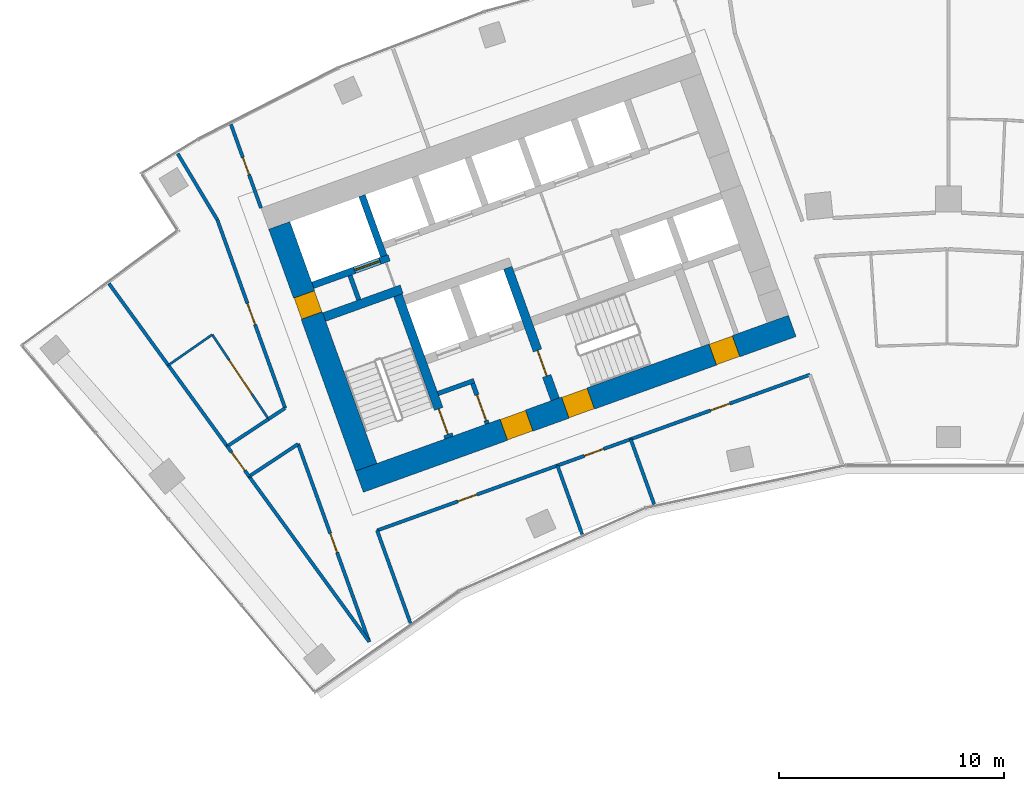
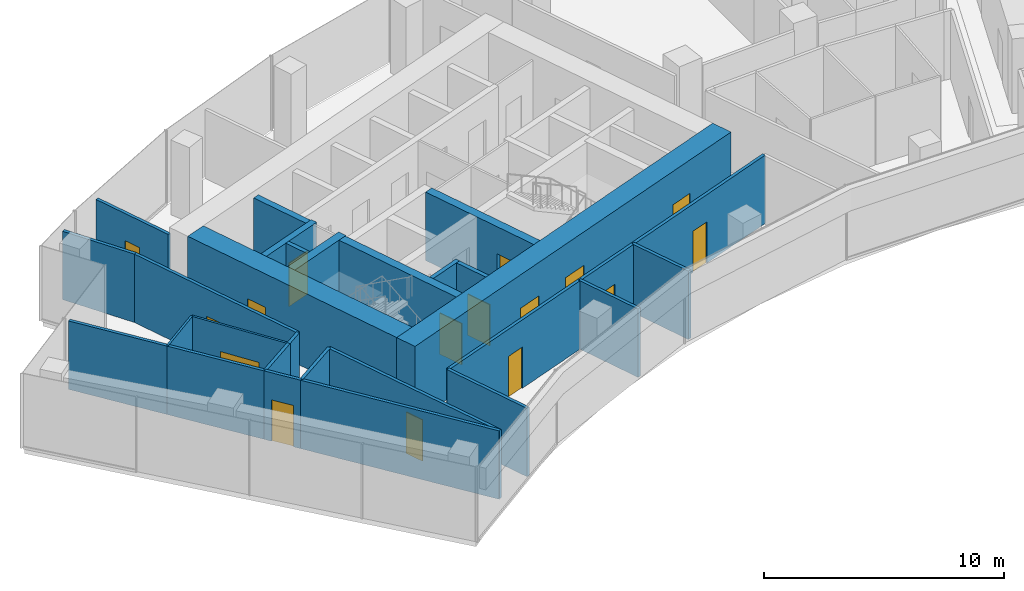
# One storey, part 10 of 16: 29 walls, 16 doors, 16 openings.
"""IFC4 building model written with IfcOpenShell, lengths in metres."""

from ifc_helpers import new_model, si_unit, direction, frame, frame_2d, origin, place, context, subcontext, project, spatial, rectangle, extrude, material, layer, layer_set, type_object, element, fill, save


model = new_model("IFC4")

# Units and contexts
model_context = context("Model", 3, precision=1e-05, world=origin(), true_north=direction((0.0, 1.0)))
body_context = subcontext(model_context, "Body", "Model", "MODEL_VIEW")
ifc_project = project(units=[si_unit("LENGTHUNIT", "METRE"), si_unit("AREAUNIT", "SQUARE_METRE"), si_unit("VOLUMEUNIT", "CUBIC_METRE"), si_unit("PLANEANGLEUNIT", "RADIAN"), si_unit("MASSUNIT", "GRAM", prefix="KILO")], contexts=[model_context])

# Site, building, storey
site_placement = place(None, origin())
site = spatial("IfcSite", under=ifc_project, at=site_placement, CompositionType="ELEMENT")
building_placement = place(site_placement, origin())
building = spatial("IfcBuilding", under=site, at=building_placement, Name="Stone Belt Terrace Tower", CompositionType="ELEMENT")
storey_placement = place(building_placement, frame((0.0, 0.0, 242.800048828125)))
storey = spatial("IfcBuildingStorey", under=building, at=storey_placement, Name="L59", CompositionType="ELEMENT", Elevation=242.800048828125)

# Wall, openings, doors
ifc_material_1 = material(Name="Concrete B60", Category="concrete")
ifc_layer_1 = layer(ifc_material_1, 1.0)
ifc_layer_set_1 = layer_set([ifc_layer_1], Name="Core wall 1000 B60")
wall_type_1 = type_object("IfcWallType", Name="Core wall 1000 B60", PredefinedType="SHEAR", material=ifc_layer_set_1)
wall_1_placement = place(storey_placement, frame((-26.122314453125, 42.462890625, 0.0), z_axis=(0.0, 0.0, 1.0), x_axis=(0.940921428504, 0.338624962727, 0.0)))
wall_1 = element("IfcWall", 1, at=wall_1_placement, inside=storey, type_object=wall_type_1, Name="Core A wall concave L59", PredefinedType="SHEAR", context=body_context, shape_type="SweptSolid", body=[
    extrude(rectangle(XDim=20.400146484375, YDim=1.0, at=frame_2d((10.2001953125, 0.0))), origin(), (0.0, 0.0, 1.0), 3.800048828125),
])
opening_1_placement = place(wall_1_placement, frame((6.800048828125, 0.0, 0.0)))
opening_1 = element("IfcOpeningElement", 2, at=opening_1_placement, cuts=wall_1, Name="Opening L59-C10", PredefinedType="OPENING", context=body_context, shape_type="SweptSolid", body=[
    extrude(rectangle(XDim=1.199951171875, YDim=2.10009765625, at=frame_2d((0.60009765625, 1.050048828125))), frame((0.0, 0.510009765625, 0.0), z_axis=(0.0, -1.0, 0.0), x_axis=(1.0, 0.0, 0.0)), (0.0, 0.0, 1.0), 1.02001953125),
])
opening_2_placement = place(wall_1_placement, frame((9.699951171875, 0.0, 0.0)))
opening_2 = element("IfcOpeningElement", 3, at=opening_2_placement, cuts=wall_1, Name="Opening L59-C12", PredefinedType="OPENING", context=body_context, shape_type="SweptSolid", body=[
    extrude(rectangle(XDim=1.199951171875, YDim=2.10009765625, at=frame_2d((0.60009765625, 1.050048828125))), frame((0.0, 0.510009765625, 0.0), z_axis=(0.0, -1.0, 0.0), x_axis=(1.0, 0.0, 0.0)), (0.0, 0.0, 1.0), 1.02001953125),
])
opening_3_placement = place(wall_1_placement, frame((16.64990234375, 0.0, 0.0)))
opening_3 = element("IfcOpeningElement", 4, at=opening_3_placement, cuts=wall_1, Name="Opening L59-C14", PredefinedType="OPENING", context=body_context, shape_type="SweptSolid", body=[
    extrude(rectangle(XDim=1.10009765625, YDim=2.10009765625, at=frame_2d((0.550048828125, 1.050048828125))), frame((0.0, 0.510009765625, 0.0), z_axis=(0.0, -1.0, 0.0), x_axis=(1.0, 0.0, 0.0)), (0.0, 0.0, 1.0), 1.02001953125),
])
ifc_material_2 = material(Name="Timber door leaf", Category="wood")
door_type_1 = type_object("IfcDoorType", Name="Core room door 1100", OperationType="SINGLE_SWING_LEFT", PredefinedType="DOOR", material=ifc_material_2)
door_1_placement = place(opening_3_placement, origin())
door_1 = element("IfcDoor", 5, at=door_1_placement, inside=storey, type_object=door_type_1, Name="Door to Communications riser room core A", OperationType="SINGLE_SWING_LEFT", OverallHeight=2.10009765625, OverallWidth=1.10009765625, PredefinedType="DOOR", context=body_context, shape_type="SweptSolid", body=[
    extrude(rectangle(XDim=1.10009765625, YDim=2.10009765625, at=frame_2d((0.550048828125, 1.050048828125))), frame((0.0, 0.47998046875, 0.0), z_axis=(0.0, -1.0, 0.0), x_axis=(1.0, 0.0, 0.0)), (0.0, 0.0, 1.0), 0.9599609375),
])
fill(opening_3, door_1)
ifc_material_3 = material(Name="Steel door leaf", Category="steel")
door_type_2 = type_object("IfcDoorType", Name="Fire-fighting lobby door 1200", OperationType="SINGLE_SWING_LEFT", PredefinedType="DOOR", material=ifc_material_3)
door_2_placement = place(opening_1_placement, origin())
door_2 = element("IfcDoor", 6, at=door_2_placement, inside=storey, type_object=door_type_2, Name="Fire-fighting lobby door core A", OperationType="SINGLE_SWING_LEFT", OverallHeight=2.10009765625, OverallWidth=1.199951171875, PredefinedType="DOOR", context=body_context, shape_type="SweptSolid", body=[
    extrude(rectangle(XDim=1.199951171875, YDim=2.10009765625, at=frame_2d((0.60009765625, 1.050048828125))), frame((0.0, 0.47998046875, 0.0), z_axis=(0.0, -1.0, 0.0), x_axis=(1.0, 0.0, 0.0)), (0.0, 0.0, 1.0), 0.9599609375),
])
fill(opening_1, door_2)
door_type_3 = type_object("IfcDoorType", Name="Stair door 1200", OperationType="SINGLE_SWING_LEFT", PredefinedType="DOOR", material=ifc_material_3)
door_3_placement = place(opening_2_placement, origin())
door_3 = element("IfcDoor", 7, at=door_3_placement, inside=storey, type_object=door_type_3, Name="Stair 2 exit door core A", OperationType="SINGLE_SWING_RIGHT", OverallHeight=2.10009765625, OverallWidth=1.199951171875, PredefinedType="DOOR", context=body_context, shape_type="SweptSolid", body=[
    extrude(rectangle(XDim=1.199951171875, YDim=2.10009765625, at=frame_2d((0.60009765625, 1.050048828125))), frame((0.0, 0.47998046875, 0.0), z_axis=(0.0, -1.0, 0.0), x_axis=(1.0, 0.0, 0.0)), (0.0, 0.0, 1.0), 0.9599609375),
])
fill(opening_2, door_3)

# Wall, opening, door
wall_2_placement = place(storey_placement, frame((-25.821044921875, 43.102783203125, 0.0), z_axis=(0.0, 0.0, 1.0), x_axis=(-0.338625431531, 0.940921259788, 0.0)))
wall_2 = element("IfcWall", 8, at=wall_2_placement, inside=storey, type_object=wall_type_1, Name="Core A wall end_a L59", PredefinedType="SHEAR", context=body_context, shape_type="SweptSolid", body=[
    extrude(rectangle(XDim=11.400146484375, YDim=1.0, at=frame_2d((5.7001953125, 0.0))), origin(), (0.0, 0.0, 1.0), 3.800048828125),
])
opening_4_placement = place(wall_2_placement, frame((7.14990234375, 0.0, 0.0)))
opening_4 = element("IfcOpeningElement", 9, at=opening_4_placement, cuts=wall_2, Name="Opening L59-C04", PredefinedType="OPENING", context=body_context, shape_type="SweptSolid", body=[
    extrude(rectangle(XDim=1.0, YDim=2.10009765625, at=frame_2d((0.5, 1.050048828125))), frame((0.0, 0.510009765625, 0.0), z_axis=(0.0, -1.0, 0.0), x_axis=(1.0, 0.0, 0.0)), (0.0, 0.0, 1.0), 1.02001953125),
])
door_type_4 = type_object("IfcDoorType", Name="Core room door 1000", OperationType="SINGLE_SWING_LEFT", PredefinedType="DOOR", material=ifc_material_2)
door_4_placement = place(opening_4_placement, origin())
door_4 = element("IfcDoor", 10, at=door_4_placement, inside=storey, type_object=door_type_4, Name="Door to Telecommunications riser room core A", OperationType="SINGLE_SWING_RIGHT", OverallHeight=2.10009765625, OverallWidth=1.0, PredefinedType="DOOR", context=body_context, shape_type="SweptSolid", body=[
    extrude(rectangle(XDim=1.0, YDim=2.10009765625, at=frame_2d((0.5, 1.050048828125))), frame((0.0, 0.47021484375, 0.0), z_axis=(0.0, -1.0, 0.0), x_axis=(1.0, 0.0, 0.0)), (0.0, 0.0, 1.0), 0.949951171875),
])
fill(opening_4, door_4)

ifc_material_4 = material(Name="Concrete B80", Category="concrete")
ifc_layer_2 = layer(ifc_material_4, 0.300048828125)
ifc_layer_set_2 = layer_set([ifc_layer_2], Name="Lift shaft wall 300")
wall_type_2 = type_object("IfcWallType", Name="Lift shaft wall 300", PredefinedType="SHEAR", material=ifc_layer_set_2)
wall_3_placement = place(storey_placement, frame((-28.195068359375, 51.17578125, 0.0), z_axis=(0.0, 0.0, 1.0), x_axis=(0.940901243567, 0.338681044427, 0.0)))
wall_3 = element("IfcWall", 11, at=wall_3_placement, inside=storey, type_object=wall_type_2, Name="Core A wall", PredefinedType="SHEAR", context=body_context, shape_type="SweptSolid", body=[
    extrude(rectangle(XDim=3.599853515625, YDim=0.300048828125, at=frame_2d((1.7998046875, 0.0))), origin(), (0.0, 0.0, 1.0), 3.47998046875),
])
opening_5_placement = place(wall_3_placement, frame((1.969970703125, 0.0, 0.0)))
opening_5 = element("IfcOpeningElement", 12, at=opening_5_placement, cuts=wall_3, Name="Opening L59-LD08", PredefinedType="OPENING", context=body_context, shape_type="SweptSolid", body=[
    extrude(rectangle(XDim=1.199951171875, YDim=2.199951171875, at=frame_2d((0.60009765625, 1.10009765625))), frame((0.0, 0.159912109375, 0.0), z_axis=(0.0, -1.0, 0.0), x_axis=(1.0, 0.0, 0.0)), (0.0, 0.0, 1.0), 0.320068359375),
])
ifc_material_5 = material(Name="Stainless steel door leaf", Category="steel")
door_type_5 = type_object("IfcDoorType", Name="Landing door 1200", OperationType="SLIDING_TO_LEFT", PredefinedType="DOOR", material=ifc_material_5)
door_5_placement = place(opening_5_placement, origin())
door_5 = element("IfcDoor", 13, at=door_5_placement, inside=storey, type_object=door_type_5, Name="Landing door SV1 core A", OperationType="SLIDING_TO_LEFT", OverallHeight=2.199951171875, OverallWidth=1.199951171875, PredefinedType="DOOR", context=body_context, shape_type="SweptSolid", body=[
    extrude(rectangle(XDim=1.199951171875, YDim=2.199951171875, at=frame_2d((0.60009765625, 1.10009765625))), frame((0.0, 0.02490234375, 0.0), z_axis=(0.0, -1.0, 0.0), x_axis=(1.0, 0.0, 0.0)), (0.0, 0.0, 1.0), 0.050048828125),
])
fill(opening_5, door_5)

# Wall
wall_4_placement = place(storey_placement, frame((-25.046875, 52.46826171875, 0.0), z_axis=(0.0, 0.0, 1.0), x_axis=(-0.338549588058, 0.940948551423, 0.0)))
element("IfcWall", 14, at=wall_4_placement, inside=storey, type_object=wall_type_2, Name="Core A wall", PredefinedType="SHEAR", context=body_context, shape_type="SweptSolid", body=[
    extrude(rectangle(XDim=2.849853515625, YDim=0.300048828125, at=frame_2d((1.4248046875, 0.0))), origin(), (0.0, 0.0, 1.0), 3.47998046875),
])

# Wall, opening, door
ifc_material_6 = material(Name="Gypsum board partition")
ifc_layer_3 = layer(ifc_material_6, 0.10009765625)
ifc_layer_set_3 = layer_set([ifc_layer_3], Name="PARTITION 100")
wall_type_3 = type_object("IfcWallType", Name="PARTITION 100", PredefinedType="PARTITIONING", material=ifc_layer_set_3)
wall_5_placement = place(storey_placement, frame((-30.159912109375, 45.240966796875, 0.0), z_axis=(0.0, 0.0, 1.0), x_axis=(-0.554700196225, 0.832050294338, 0.0)))
wall_5 = element("IfcWall", 15, at=wall_5_placement, inside=storey, type_object=wall_type_3, Name="L59/wall/i042", PredefinedType="PARTITIONING", context=body_context, shape_type="SweptSolid", body=[
    extrude(rectangle(XDim=4.5, YDim=0.10009765625, at=frame_2d((2.25, 0.0))), origin(), (0.0, 0.0, 1.0), 3.47998046875),
])
opening_6_placement = place(wall_5_placement, frame((1.349853515625, 0.0, 0.0)))
opening_6 = element("IfcOpeningElement", 16, at=opening_6_placement, cuts=wall_5, Name="Opening D-D5b-14", PredefinedType="OPENING", context=body_context, shape_type="SweptSolid", body=[
    extrude(rectangle(XDim=1.800048828125, YDim=2.10009765625, at=frame_2d((0.89990234375, 1.050048828125))), frame((0.0, 0.06005859375, 0.0), z_axis=(0.0, -1.0, 0.0), x_axis=(1.0, 0.0, 0.0)), (0.0, 0.0, 1.0), 0.1201171875),
])
door_type_6 = type_object("IfcDoorType", Name="DOUBLE DOOR 1800 X 2100", OperationType="DOUBLE_DOOR_SINGLE_SWING", PredefinedType="DOOR", material=ifc_material_2)
door_6_placement = place(opening_6_placement, origin())
door_6 = element("IfcDoor", 17, at=door_6_placement, inside=storey, type_object=door_type_6, Name="L59/door/i14", OperationType="DOUBLE_DOOR_SINGLE_SWING", OverallHeight=2.10009765625, OverallWidth=1.800048828125, PredefinedType="DOOR", context=body_context, shape_type="SweptSolid", body=[
    extrude(rectangle(XDim=1.800048828125, YDim=2.10009765625, at=frame_2d((0.89990234375, 1.050048828125))), frame((0.0, 0.02490234375, 0.0), z_axis=(0.0, -1.0, 0.0), x_axis=(1.0, 0.0, 0.0)), (0.0, 0.0, 1.0), 0.050048828125),
])
fill(opening_6, door_6)

# Walls
wall_6_placement = place(storey_placement, frame((-32.656005859375, 48.985107421875, 0.0), z_axis=(0.0, 0.0, 1.0), x_axis=(-0.820500477686, -0.571645839762, 0.0)))
element("IfcWall", 18, at=wall_6_placement, inside=storey, type_object=wall_type_3, Name="L59/wall/i043", PredefinedType="PARTITIONING", context=body_context, shape_type="SweptSolid", body=[
    extrude(rectangle(XDim=2.374267578125, YDim=0.10009765625, at=frame_2d((1.18701171875, 0.0))), origin(), (0.0, 0.0, 1.0), 3.47998046875),
])
ifc_layer_4 = layer(ifc_material_6, 0.14990234375)
ifc_layer_set_4 = layer_set([ifc_layer_4], Name="PARTITION 150 EI 60")
wall_type_4 = type_object("IfcWallType", Name="PARTITION 150 EI 60", PredefinedType="PARTITIONING", material=ifc_layer_set_4)
wall_7_placement = place(storey_placement, frame((-25.344970703125, 40.304931640625, 0.0), z_axis=(0.0, 0.0, 1.0), x_axis=(0.338646383094, -0.940913719327, 0.0)))
element("IfcWall", 19, at=wall_7_placement, inside=storey, type_object=wall_type_4, Name="L59/wall/i001", PredefinedType="PARTITIONING", context=body_context, shape_type="SweptSolid", body=[
    extrude(rectangle(XDim=4.376708984375, YDim=0.14990234375, at=frame_2d((2.1884765625, 0.0))), origin(), (0.0, 0.0, 1.0), 3.47998046875),
])

# Wall, opening, door
wall_8_placement = place(storey_placement, frame((-31.826904296875, 58.31298828125, 0.0), z_axis=(0.0, 0.0, 1.0), x_axis=(0.338640575491, -0.940915809534, 0.0)))
wall_8 = element("IfcWall", 20, at=wall_8_placement, inside=storey, type_object=wall_type_4, Name="L59/wall/i002", PredefinedType="PARTITIONING", context=body_context, shape_type="SweptSolid", body=[
    extrude(rectangle(XDim=3.945068359375, YDim=0.14990234375, at=frame_2d((1.97265625, 0.0))), origin(), (0.0, 0.0, 1.0), 3.47998046875),
])
opening_7_placement = place(wall_8_placement, frame((1.572509765625, 0.0, 0.0)))
opening_7 = element("IfcOpeningElement", 21, at=opening_7_placement, cuts=wall_8, Name="Opening D-D5b-04", PredefinedType="OPENING", context=body_context, shape_type="SweptSolid", body=[
    extrude(rectangle(XDim=0.800048828125, YDim=2.10009765625, at=frame_2d((0.39990234375, 1.050048828125))), frame((0.0, 0.0849609375, 0.0), z_axis=(0.0, -1.0, 0.0), x_axis=(1.0, 0.0, 0.0)), (0.0, 0.0, 1.0), 0.169921875),
])
door_type_7 = type_object("IfcDoorType", Name="STORE DOOR 800 X 2100", OperationType="NOTDEFINED", PredefinedType="DOOR", material=ifc_material_2)
door_7_placement = place(opening_7_placement, origin())
door_7 = element("IfcDoor", 22, at=door_7_placement, inside=storey, type_object=door_type_7, Name="L59/door/i04", OperationType="SINGLE_SWING_LEFT", OverallHeight=2.10009765625, OverallWidth=0.800048828125, PredefinedType="DOOR", context=body_context, shape_type="SweptSolid", body=[
    extrude(rectangle(XDim=0.800048828125, YDim=2.10009765625, at=frame_2d((0.39990234375, 1.050048828125))), frame((0.0, 0.02490234375, 0.0), z_axis=(0.0, -1.0, 0.0), x_axis=(1.0, 0.0, 0.0)), (0.0, 0.0, 1.0), 0.050048828125),
])
fill(opening_7, door_7)

wall_9_placement = place(storey_placement, frame((-25.69091796875, 35.35791015625, 0.0), z_axis=(0.0, 0.0, 1.0), x_axis=(-0.338657394617, 0.940909756072, 0.0)))
wall_9 = element("IfcWall", 23, at=wall_9_placement, inside=storey, type_object=wall_type_4, Name="L59/wall/i003", PredefinedType="PARTITIONING", context=body_context, shape_type="SweptSolid", body=[
    extrude(rectangle(XDim=9.33154296875, YDim=0.14990234375, at=frame_2d((4.665771484375, 0.0))), origin(), (0.0, 0.0, 1.0), 3.47998046875),
])
opening_8_placement = place(wall_9_placement, frame((4.215576171875, 0.0, 0.0)))
opening_8 = element("IfcOpeningElement", 24, at=opening_8_placement, cuts=wall_9, Name="Opening D-D5b-12", PredefinedType="OPENING", context=body_context, shape_type="SweptSolid", body=[
    extrude(rectangle(XDim=0.89990234375, YDim=2.10009765625, at=frame_2d((0.449951171875, 1.050048828125))), frame((0.0, 0.0849609375, 0.0), z_axis=(0.0, -1.0, 0.0), x_axis=(1.0, 0.0, 0.0)), (0.0, 0.0, 1.0), 0.169921875),
])
door_type_8 = type_object("IfcDoorType", Name="OFFICE DOOR 900 X 2100", OperationType="NOTDEFINED", PredefinedType="DOOR", material=ifc_material_2)
door_8_placement = place(opening_8_placement, origin())
door_8 = element("IfcDoor", 25, at=door_8_placement, inside=storey, type_object=door_type_8, Name="L59/door/i12", OperationType="SINGLE_SWING_RIGHT", OverallHeight=2.10009765625, OverallWidth=0.89990234375, PredefinedType="DOOR", context=body_context, shape_type="SweptSolid", body=[
    extrude(rectangle(XDim=0.89990234375, YDim=2.10009765625, at=frame_2d((0.449951171875, 1.050048828125))), frame((0.0, 0.02490234375, 0.0), z_axis=(0.0, -1.0, 0.0), x_axis=(1.0, 0.0, 0.0)), (0.0, 0.0, 1.0), 0.050048828125),
])
fill(opening_8, door_8)

wall_10_placement = place(storey_placement, frame((-29.4208984375, 45.721923828125, 0.0), z_axis=(0.0, 0.0, 1.0), x_axis=(-0.338710707115, 0.94089056584, 0.0)))
wall_10 = element("IfcWall", 26, at=wall_10_placement, inside=storey, type_object=wall_type_4, Name="L59/wall/i004", PredefinedType="PARTITIONING", context=body_context, shape_type="SweptSolid", body=[
    extrude(rectangle(XDim=8.880859375, YDim=0.14990234375, at=frame_2d((4.4404296875, 0.0))), origin(), (0.0, 0.0, 1.0), 3.47998046875),
])
opening_9_placement = place(wall_10_placement, frame((3.9404296875, 0.0, 0.0)))
opening_9 = element("IfcOpeningElement", 27, at=opening_9_placement, cuts=wall_10, Name="Opening D-D5b-13", PredefinedType="OPENING", context=body_context, shape_type="SweptSolid", body=[
    extrude(rectangle(XDim=1.0, YDim=2.10009765625, at=frame_2d((0.5, 1.050048828125))), frame((0.0, 0.0849609375, 0.0), z_axis=(0.0, -1.0, 0.0), x_axis=(1.0, 0.0, 0.0)), (0.0, 0.0, 1.0), 0.169921875),
])
ifc_material_7 = material(Name="Timber fire door leaf", Category="wood")
door_type_9 = type_object("IfcDoorType", Name="TENANCY ENTRANCE DOOR 1000 X 2100", OperationType="NOTDEFINED", PredefinedType="DOOR", material=ifc_material_7)
door_9_placement = place(opening_9_placement, origin())
door_9 = element("IfcDoor", 28, at=door_9_placement, inside=storey, type_object=door_type_9, Name="L59/door/i13", OperationType="SINGLE_SWING_RIGHT", OverallHeight=2.10009765625, OverallWidth=1.0, PredefinedType="DOOR", context=body_context, shape_type="SweptSolid", body=[
    extrude(rectangle(XDim=1.0, YDim=2.10009765625, at=frame_2d((0.5, 1.050048828125))), frame((0.0, 0.02490234375, 0.0), z_axis=(0.0, -1.0, 0.0), x_axis=(1.0, 0.0, 0.0)), (0.0, 0.0, 1.0), 0.050048828125),
])
fill(opening_9, door_9)

# Wall
wall_11_placement = place(storey_placement, frame((-32.428955078125, 54.077880859375, 0.0), z_axis=(0.0, 0.0, 1.0), x_axis=(-0.514254922229, 0.857637379644, 0.0)))
element("IfcWall", 29, at=wall_11_placement, inside=storey, type_object=wall_type_4, Name="L59/wall/i005", PredefinedType="PARTITIONING", context=body_context, shape_type="SweptSolid", body=[
    extrude(rectangle(XDim=3.42919921875, YDim=0.14990234375, at=frame_2d((1.714599609375, 0.0))), origin(), (0.0, 0.0, 1.0), 3.47998046875),
])

# Wall, opening, door
wall_12_placement = place(storey_placement, frame((-17.337890625, 43.179931640625, 0.0), z_axis=(0.0, 0.0, 1.0), x_axis=(-0.940924353827, -0.338616834157, 0.0)))
wall_12 = element("IfcWall", 30, at=wall_12_placement, inside=storey, type_object=wall_type_4, Name="L59/wall/i011", PredefinedType="PARTITIONING", context=body_context, shape_type="SweptSolid", body=[
    extrude(rectangle(XDim=8.5078125, YDim=0.14990234375, at=frame_2d((4.25390625, 0.0))), origin(), (0.0, 0.0, 1.0), 3.47998046875),
])
opening_10_placement = place(wall_12_placement, frame((3.8037109375, 0.0, 0.0)))
opening_10 = element("IfcOpeningElement", 31, at=opening_10_placement, cuts=wall_12, Name="Opening D-D5b-01", PredefinedType="OPENING", context=body_context, shape_type="SweptSolid", body=[
    extrude(rectangle(XDim=0.89990234375, YDim=2.10009765625, at=frame_2d((0.449951171875, 1.050048828125))), frame((0.0, 0.0849609375, 0.0), z_axis=(0.0, -1.0, 0.0), x_axis=(1.0, 0.0, 0.0)), (0.0, 0.0, 1.0), 0.169921875),
])
door_10_placement = place(opening_10_placement, origin())
door_10 = element("IfcDoor", 32, at=door_10_placement, inside=storey, type_object=door_type_8, Name="L59/door/i01", OperationType="SINGLE_SWING_RIGHT", OverallHeight=2.10009765625, OverallWidth=0.89990234375, PredefinedType="DOOR", context=body_context, shape_type="SweptSolid", body=[
    extrude(rectangle(XDim=0.89990234375, YDim=2.10009765625, at=frame_2d((0.449951171875, 1.050048828125))), frame((0.0, 0.02490234375, 0.0), z_axis=(0.0, -1.0, 0.0), x_axis=(1.0, 0.0, 0.0)), (0.0, 0.0, 1.0), 0.050048828125),
])
fill(opening_10, door_10)

wall_13_placement = place(storey_placement, frame((-14.087890625, 44.35009765625, 0.0), z_axis=(0.0, 0.0, 1.0), x_axis=(-0.940917031446, -0.338637180379, 0.0)))
wall_13 = element("IfcWall", 33, at=wall_13_placement, inside=storey, type_object=wall_type_4, Name="L59/wall/i012", PredefinedType="PARTITIONING", context=body_context, shape_type="SweptSolid", body=[
    extrude(rectangle(XDim=3.467041015625, YDim=0.14990234375, at=frame_2d((1.7333984375, 0.0))), origin(), (0.0, 0.0, 1.0), 3.47998046875),
])
opening_11_placement = place(wall_13_placement, frame((1.283447265625, 0.0, 0.0)))
opening_11 = element("IfcOpeningElement", 34, at=opening_11_placement, cuts=wall_13, Name="Opening D-D5b-02", PredefinedType="OPENING", context=body_context, shape_type="SweptSolid", body=[
    extrude(rectangle(XDim=0.89990234375, YDim=2.10009765625, at=frame_2d((0.449951171875, 1.050048828125))), frame((0.0, 0.0849609375, 0.0), z_axis=(0.0, -1.0, 0.0), x_axis=(1.0, 0.0, 0.0)), (0.0, 0.0, 1.0), 0.169921875),
])
door_11_placement = place(opening_11_placement, origin())
door_11 = element("IfcDoor", 35, at=door_11_placement, inside=storey, type_object=door_type_8, Name="L59/door/i02", OperationType="SINGLE_SWING_RIGHT", OverallHeight=2.10009765625, OverallWidth=0.89990234375, PredefinedType="DOOR", context=body_context, shape_type="SweptSolid", body=[
    extrude(rectangle(XDim=0.89990234375, YDim=2.10009765625, at=frame_2d((0.449951171875, 1.050048828125))), frame((0.0, 0.02490234375, 0.0), z_axis=(0.0, -1.0, 0.0), x_axis=(1.0, 0.0, 0.0)), (0.0, 0.0, 1.0), 0.050048828125),
])
fill(opening_11, door_11)

wall_14_placement = place(storey_placement, frame((-6.14892578125, 47.20703125, 0.0), z_axis=(0.0, 0.0, 1.0), x_axis=(-0.94093785922, -0.338579303985, 0.0)))
wall_14 = element("IfcWall", 36, at=wall_14_placement, inside=storey, type_object=wall_type_4, Name="L59/wall/i013", PredefinedType="PARTITIONING", context=body_context, shape_type="SweptSolid", body=[
    extrude(rectangle(XDim=8.4501953125, YDim=0.14990234375, at=frame_2d((4.22509765625, 0.0))), origin(), (0.0, 0.0, 1.0), 3.47998046875),
])
opening_12_placement = place(wall_14_placement, frame((3.775146484375, 0.0, 0.0)))
opening_12 = element("IfcOpeningElement", 37, at=opening_12_placement, cuts=wall_14, Name="Opening D-D5b-03", PredefinedType="OPENING", context=body_context, shape_type="SweptSolid", body=[
    extrude(rectangle(XDim=0.89990234375, YDim=2.10009765625, at=frame_2d((0.449951171875, 1.050048828125))), frame((0.0, 0.0849609375, 0.0), z_axis=(0.0, -1.0, 0.0), x_axis=(1.0, 0.0, 0.0)), (0.0, 0.0, 1.0), 0.169921875),
])
door_12_placement = place(opening_12_placement, origin())
door_12 = element("IfcDoor", 38, at=door_12_placement, inside=storey, type_object=door_type_8, Name="L59/door/i03", OperationType="SINGLE_SWING_RIGHT", OverallHeight=2.10009765625, OverallWidth=0.89990234375, PredefinedType="DOOR", context=body_context, shape_type="SweptSolid", body=[
    extrude(rectangle(XDim=0.89990234375, YDim=2.10009765625, at=frame_2d((0.449951171875, 1.050048828125))), frame((0.0, 0.02490234375, 0.0), z_axis=(0.0, -1.0, 0.0), x_axis=(1.0, 0.0, 0.0)), (0.0, 0.0, 1.0), 0.050048828125),
])
fill(opening_12, door_12)

# Walls
wall_15_placement = place(storey_placement, frame((-17.343994140625, 43.177978515625, 0.0), z_axis=(0.0, 0.0, 1.0), x_axis=(0.338631589887, -0.940919043452, 0.0)))
element("IfcWall", 39, at=wall_15_placement, inside=storey, type_object=wall_type_4, Name="L59/wall/i014", PredefinedType="PARTITIONING", context=body_context, shape_type="SweptSolid", body=[
    extrude(rectangle(XDim=3.24658203125, YDim=0.14990234375, at=frame_2d((1.623291015625, 0.0))), origin(), (0.0, 0.0, 1.0), 3.47998046875),
])
wall_16_placement = place(storey_placement, frame((-14.093994140625, 44.347900390625, 0.0), z_axis=(0.0, 0.0, 1.0), x_axis=(0.3387588166, -0.940873245542, 0.0)))
element("IfcWall", 40, at=wall_16_placement, inside=storey, type_object=wall_type_4, Name="L59/wall/i015", PredefinedType="PARTITIONING", context=body_context, shape_type="SweptSolid", body=[
    extrude(rectangle(XDim=3.075927734375, YDim=0.14990234375, at=frame_2d((1.5380859375, 0.0))), origin(), (0.0, 0.0, 1.0), 3.47998046875),
])

# Wall, opening, door
wall_17_placement = place(storey_placement, frame((-31.01708984375, 42.69091796875, 0.0), z_axis=(0.0, 0.0, 1.0), x_axis=(-0.5879182917, 0.808920318872, 0.0)))
wall_17 = element("IfcWall", 41, at=wall_17_placement, inside=storey, type_object=wall_type_4, Name="L59/wall/i035", PredefinedType="PARTITIONING", context=body_context, shape_type="SweptSolid", body=[
    extrude(rectangle(XDim=1.661376953125, YDim=0.14990234375, at=frame_2d((0.83056640625, 0.0))), origin(), (0.0, 0.0, 1.0), 3.47998046875),
])
opening_13_placement = place(wall_17_placement, frame((0.330810546875, 0.0, 0.0)))
opening_13 = element("IfcOpeningElement", 42, at=opening_13_placement, cuts=wall_17, Name="Opening D-D5b-11", PredefinedType="OPENING", context=body_context, shape_type="SweptSolid", body=[
    extrude(rectangle(XDim=1.0, YDim=2.10009765625, at=frame_2d((0.5, 1.050048828125))), frame((0.0, 0.0849609375, 0.0), z_axis=(0.0, -1.0, 0.0), x_axis=(1.0, 0.0, 0.0)), (0.0, 0.0, 1.0), 0.169921875),
])
door_13_placement = place(opening_13_placement, origin())
door_13 = element("IfcDoor", 43, at=door_13_placement, inside=storey, type_object=door_type_9, Name="L59/door/i11", OperationType="SINGLE_SWING_RIGHT", OverallHeight=2.10009765625, OverallWidth=1.0, PredefinedType="DOOR", context=body_context, shape_type="SweptSolid", body=[
    extrude(rectangle(XDim=1.0, YDim=2.10009765625, at=frame_2d((0.5, 1.050048828125))), frame((0.0, 0.02490234375, 0.0), z_axis=(0.0, -1.0, 0.0), x_axis=(1.0, 0.0, 0.0)), (0.0, 0.0, 1.0), 0.050048828125),
])
fill(opening_13, door_13)

# Walls
wall_18_placement = place(storey_placement, frame((-31.02392578125, 42.699951171875, 0.0), z_axis=(0.0, 0.0, 1.0), x_axis=(0.587853093218, -0.808967700711, 0.0)))
element("IfcWall", 44, at=wall_18_placement, inside=storey, type_object=wall_type_4, Name="L59/wall/i036", PredefinedType="PARTITIONING", context=body_context, shape_type="SweptSolid", body=[
    extrude(rectangle(XDim=9.068359375, YDim=0.14990234375, at=frame_2d((4.5341796875, 0.0))), origin(), (0.0, 0.0, 1.0), 3.47998046875),
])
wall_19_placement = place(storey_placement, frame((-37.23974609375, 51.255859375, 0.0), z_axis=(0.0, 0.0, 1.0), x_axis=(0.587680160702, -0.809093337457, 0.0)))
element("IfcWall", 45, at=wall_19_placement, inside=storey, type_object=wall_type_4, Name="L59/wall/i037", PredefinedType="PARTITIONING", context=body_context, shape_type="SweptSolid", body=[
    extrude(rectangle(XDim=4.489990234375, YDim=0.14990234375, at=frame_2d((2.2451171875, 0.0))), origin(), (0.0, 0.0, 1.0), 3.47998046875),
])
wall_20_placement = place(storey_placement, frame((-34.60693359375, 47.633056640625, 0.0), z_axis=(0.0, 0.0, 1.0), x_axis=(0.587653851754, -0.809112446153, 0.0)))
element("IfcWall", 46, at=wall_20_placement, inside=storey, type_object=wall_type_4, Name="L59/wall/i038", PredefinedType="PARTITIONING", context=body_context, shape_type="SweptSolid", body=[
    extrude(rectangle(XDim=4.458251953125, YDim=0.14990234375, at=frame_2d((2.22900390625, 0.0))), origin(), (0.0, 0.0, 1.0), 3.47998046875),
])
wall_21_placement = place(storey_placement, frame((-28.84912109375, 44.132080078125, 0.0), z_axis=(0.0, 0.0, 1.0), x_axis=(-0.834036299229, -0.551709571757, 0.0)))
element("IfcWall", 47, at=wall_21_placement, inside=storey, type_object=wall_type_4, Name="L59/wall/i039", PredefinedType="PARTITIONING", context=body_context, shape_type="SweptSolid", body=[
    extrude(rectangle(XDim=2.602783203125, YDim=0.14990234375, at=frame_2d((1.30126953125, 0.0))), origin(), (0.0, 0.0, 1.0), 3.47998046875),
])
wall_22_placement = place(storey_placement, frame((-30.1650390625, 45.238037109375, 0.0), z_axis=(0.0, 0.0, 1.0), x_axis=(0.834450315491, 0.551083179727, 0.0)))
element("IfcWall", 48, at=wall_22_placement, inside=storey, type_object=wall_type_4, Name="L59/wall/i040", PredefinedType="PARTITIONING", context=body_context, shape_type="SweptSolid", body=[
    extrude(rectangle(XDim=0.88916015625, YDim=0.14990234375, at=frame_2d((0.444580078125, 0.0))), origin(), (0.0, 0.0, 1.0), 3.47998046875),
])
wall_23_placement = place(storey_placement, frame((-31.989990234375, 44.031005859375, 0.0), z_axis=(0.0, 0.0, 1.0), x_axis=(0.834229559366, 0.551417303211, 0.0)))
element("IfcWall", 49, at=wall_23_placement, inside=storey, type_object=wall_type_4, Name="L59/wall/i041", PredefinedType="PARTITIONING", context=body_context, shape_type="SweptSolid", body=[
    extrude(rectangle(XDim=2.19970703125, YDim=0.14990234375, at=frame_2d((1.099853515625, 0.0))), origin(), (0.0, 0.0, 1.0), 3.47998046875),
])
ifc_material_8 = material(Name="Concrete masonry block", Category="masonry")
ifc_layer_5 = layer(ifc_material_8, 0.199951171875)
ifc_layer_set_5 = layer_set([ifc_layer_5], Name="Rated lobby wall 200")
wall_type_5 = type_object("IfcWallType", Name="Rated lobby wall 200", PredefinedType="PARTITIONING", material=ifc_layer_set_5)
wall_24_placement = place(storey_placement, frame((-26.1552734375, 50.5283203125, 0.0), z_axis=(0.0, 0.0, 1.0), x_axis=(-0.338621735342, 0.94092258999, 0.0)))
element("IfcWall", 50, at=wall_24_placement, inside=storey, type_object=wall_type_5, Name="Core A wall", PredefinedType="PARTITIONING", context=body_context, shape_type="SweptSolid", body=[
    extrude(rectangle(XDim=1.14990234375, YDim=0.199951171875, at=frame_2d((0.574951171875, 0.0))), origin(), (0.0, 0.0, 1.0), 3.47998046875),
])
wall_25_placement = place(storey_placement, frame((-22.640625, 46.373046875, 0.0), z_axis=(0.0, 0.0, 1.0), x_axis=(0.940966110313, 0.338500781747, 0.0)))
element("IfcWall", 51, at=wall_25_placement, inside=storey, type_object=wall_type_5, Name="Core A wall", PredefinedType="PARTITIONING", context=body_context, shape_type="SweptSolid", body=[
    extrude(rectangle(XDim=1.699951171875, YDim=0.199951171875, at=frame_2d((0.85009765625, 0.0))), origin(), (0.0, 0.0, 1.0), 3.47998046875),
])

# Wall, opening, door
wall_26_placement = place(storey_placement, frame((-20.4580078125, 45.032958984375, 0.0), z_axis=(0.0, 0.0, 1.0), x_axis=(-0.338573865316, 0.940939816208, 0.0)))
wall_26 = element("IfcWall", 52, at=wall_26_placement, inside=storey, type_object=wall_type_5, Name="Core A wall", PredefinedType="PARTITIONING", context=body_context, shape_type="SweptSolid", body=[
    extrude(rectangle(XDim=1.900146484375, YDim=0.199951171875, at=frame_2d((0.9501953125, 0.0))), origin(), (0.0, 0.0, 1.0), 3.47998046875),
])
opening_14_placement = place(wall_26_placement, frame((0.14990234375, 0.0, 0.0)))
opening_14 = element("IfcOpeningElement", 53, at=opening_14_placement, cuts=wall_26, Name="Opening L59-C09", PredefinedType="OPENING", context=body_context, shape_type="SweptSolid", body=[
    extrude(rectangle(XDim=1.199951171875, YDim=2.10009765625, at=frame_2d((0.60009765625, 1.050048828125))), frame((0.0, 0.10986328125, 0.0), z_axis=(0.0, -1.0, 0.0), x_axis=(1.0, 0.0, 0.0)), (0.0, 0.0, 1.0), 0.219970703125),
])
door_14_placement = place(opening_14_placement, origin())
door_14 = element("IfcDoor", 54, at=door_14_placement, inside=storey, type_object=door_type_3, Name="Stair airlock door core A", OperationType="SINGLE_SWING_LEFT", OverallHeight=2.10009765625, OverallWidth=1.199951171875, PredefinedType="DOOR", context=body_context, shape_type="SweptSolid", body=[
    extrude(rectangle(XDim=1.199951171875, YDim=2.10009765625, at=frame_2d((0.60009765625, 1.050048828125))), frame((0.0, 0.02490234375, 0.0), z_axis=(0.0, -1.0, 0.0), x_axis=(1.0, 0.0, 0.0)), (0.0, 0.0, 1.0), 0.050048828125),
])
fill(opening_14, door_14)

# Wall
ifc_layer_6 = layer(ifc_material_4, 0.39990234375)
ifc_layer_set_6 = layer_set([ifc_layer_6], Name="Stair enclosure wall 400")
wall_type_6 = type_object("IfcWallType", Name="Stair enclosure wall 400", PredefinedType="SHEAR", material=ifc_layer_set_6)
wall_27_placement = place(storey_placement, frame((-27.687255859375, 49.764404296875, 0.0), z_axis=(0.0, 0.0, 1.0), x_axis=(0.940918954884, 0.338631835981, 0.0)))
element("IfcWall", 55, at=wall_27_placement, inside=storey, type_object=wall_type_6, Name="Core A wall", PredefinedType="SHEAR", context=body_context, shape_type="SweptSolid", body=[
    extrude(rectangle(XDim=3.650146484375, YDim=0.39990234375, at=frame_2d((1.8251953125, 0.0))), origin(), (0.0, 0.0, 1.0), 3.47998046875),
])

# Wall, opening, door
wall_28_placement = place(storey_placement, frame((-22.151611328125, 44.42333984375, 0.0), z_axis=(0.0, 0.0, 1.0), x_axis=(-0.338625272931, 0.940921316866, 0.0)))
wall_28 = element("IfcWall", 56, at=wall_28_placement, inside=storey, type_object=wall_type_6, Name="Core A wall", PredefinedType="SHEAR", context=body_context, shape_type="SweptSolid", body=[
    extrude(rectangle(XDim=6.699951171875, YDim=0.39990234375, at=frame_2d((3.35009765625, 0.0))), origin(), (0.0, 0.0, 1.0), 3.47998046875),
])
opening_15_placement = place(wall_28_placement, frame((0.14990234375, 0.0, 0.0)))
opening_15 = element("IfcOpeningElement", 57, at=opening_15_placement, cuts=wall_28, Name="Opening L59-C08", PredefinedType="OPENING", context=body_context, shape_type="SweptSolid", body=[
    extrude(rectangle(XDim=1.199951171875, YDim=2.10009765625, at=frame_2d((0.60009765625, 1.050048828125))), frame((0.0, 0.2099609375, 0.0), z_axis=(0.0, -1.0, 0.0), x_axis=(1.0, 0.0, 0.0)), (0.0, 0.0, 1.0), 0.419921875),
])
door_15_placement = place(opening_15_placement, origin())
door_15 = element("IfcDoor", 58, at=door_15_placement, inside=storey, type_object=door_type_3, Name="Stair 1 door core A", OperationType="SINGLE_SWING_LEFT", OverallHeight=2.10009765625, OverallWidth=1.199951171875, PredefinedType="DOOR", context=body_context, shape_type="SweptSolid", body=[
    extrude(rectangle(XDim=1.199951171875, YDim=2.10009765625, at=frame_2d((0.60009765625, 1.050048828125))), frame((0.0, 0.02490234375, 0.0), z_axis=(0.0, -1.0, 0.0), x_axis=(1.0, 0.0, 0.0)), (0.0, 0.0, 1.0), 0.050048828125),
])
fill(opening_15, door_15)

wall_29_placement = place(storey_placement, frame((-17.447021484375, 46.116455078125, 0.0), z_axis=(0.0, 0.0, 1.0), x_axis=(-0.33860791464, 0.940927563707, 0.0)))
wall_29 = element("IfcWall", 59, at=wall_29_placement, inside=storey, type_object=wall_type_6, Name="Core A wall", PredefinedType="SHEAR", context=body_context, shape_type="SweptSolid", body=[
    extrude(rectangle(XDim=6.199951171875, YDim=0.39990234375, at=frame_2d((3.10009765625, 0.0))), origin(), (0.0, 0.0, 1.0), 3.47998046875),
])
opening_16_placement = place(wall_29_placement, frame((1.10009765625, 0.0, 0.0)))
opening_16 = element("IfcOpeningElement", 60, at=opening_16_placement, cuts=wall_29, Name="Opening L59-C11", PredefinedType="OPENING", context=body_context, shape_type="SweptSolid", body=[
    extrude(rectangle(XDim=1.199951171875, YDim=2.10009765625, at=frame_2d((0.60009765625, 1.050048828125))), frame((0.0, 0.2099609375, 0.0), z_axis=(0.0, -1.0, 0.0), x_axis=(1.0, 0.0, 0.0)), (0.0, 0.0, 1.0), 0.419921875),
])
door_16_placement = place(opening_16_placement, origin())
door_16 = element("IfcDoor", 61, at=door_16_placement, inside=storey, type_object=door_type_3, Name="Stair 2 door core A", OperationType="SINGLE_SWING_LEFT", OverallHeight=2.10009765625, OverallWidth=1.199951171875, PredefinedType="DOOR", context=body_context, shape_type="SweptSolid", body=[
    extrude(rectangle(XDim=1.199951171875, YDim=2.10009765625, at=frame_2d((0.60009765625, 1.050048828125))), frame((0.0, 0.02490234375, 0.0), z_axis=(0.0, -1.0, 0.0), x_axis=(1.0, 0.0, 0.0)), (0.0, 0.0, 1.0), 0.050048828125),
])
fill(opening_16, door_16)

save(model, "model.ifc")
